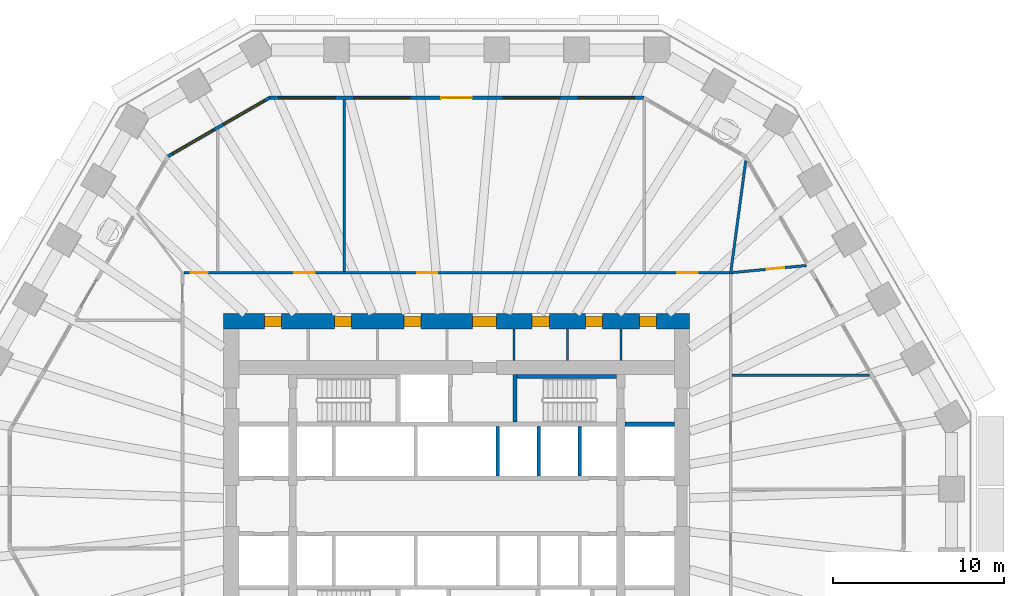
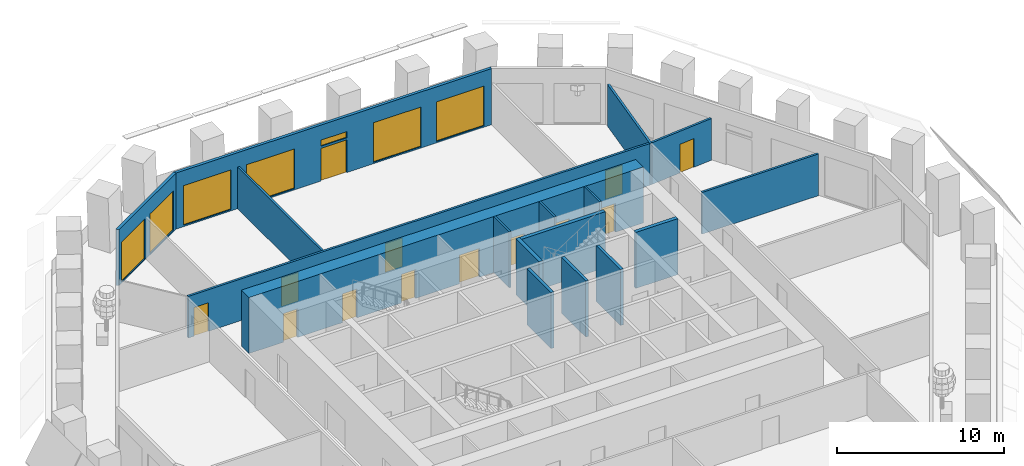
# One storey, part 7 of 12: 17 walls, 13 doors, 7 windows, 20 openings.
"""IFC4 building model written with IfcOpenShell, lengths in metres."""

from ifc_helpers import new_model, si_unit, direction, frame, frame_2d, origin, place, context, subcontext, project, spatial, polyline, rectangle, outline, extrude, material, layer, layer_set, type_object, element, fill, save


model = new_model("IFC4")

# Units and contexts
model_context = context("Model", 3, precision=1e-05, world=origin(), true_north=direction((0.0, 1.0)))
body_context = subcontext(model_context, "Body", "Model", "MODEL_VIEW")
ifc_project = project(units=[si_unit("LENGTHUNIT", "METRE"), si_unit("AREAUNIT", "SQUARE_METRE"), si_unit("VOLUMEUNIT", "CUBIC_METRE"), si_unit("PLANEANGLEUNIT", "RADIAN"), si_unit("MASSUNIT", "GRAM", prefix="KILO")], contexts=[model_context])

# Site, building, storey
site_placement = place(None, origin())
site = spatial("IfcSite", under=ifc_project, at=site_placement, CompositionType="ELEMENT")
building_placement = place(site_placement, origin())
building = spatial("IfcBuilding", under=site, at=building_placement, Name="Frailejon Research Tower", CompositionType="ELEMENT")
storey_placement = place(building_placement, frame((0.0, 0.0, 45.39990234375)))
storey = spatial("IfcBuildingStorey", under=building, at=storey_placement, Name="L10", CompositionType="ELEMENT", Elevation=45.39990234375)

# Walls
ifc_material_1 = material(Name="Plasterboard on steel studs", Category="steel")
ifc_layer_1 = layer(ifc_material_1, 0.125)
ifc_layer_set_1 = layer_set([ifc_layer_1], Name="Core partition 125")
wall_type_1 = type_object("IfcWallType", Name="Core partition 125", PredefinedType="PARTITIONING", material=ifc_layer_set_1)
for number, where, z_axis, x_axis, name in (
    (1, (3.362548828125, 8.5, 0.0), (0.0, 0.0, 1.0), (0.0, 1.0, 0.0), "Core partition"),
    (2, (6.49169921875, 8.5, 0.0), (0.0, 0.0, 1.0), (0.0, 1.0, 0.0), "Core partition"),
    (3, (9.620849609375, 8.5, 0.0), (0.0, 0.0, 1.0), (0.0, 1.0, 0.0), "Core partition"),
):
    element("IfcWall", number, at=place(storey_placement, frame(where, z_axis=z_axis, x_axis=x_axis)), inside=storey, type_object=wall_type_1, Name=name, PredefinedType="PARTITIONING", context=body_context, shape_type="SweptSolid", body=[
        extrude(rectangle(XDim=1.85009765625, YDim=0.125, at=frame_2d((0.925048828125, 0.0))), origin(), (0.0, 0.0, 1.0), 4.10009765625),
    ])

# Wall, openings, doors
ifc_material_2 = material(Name="Concrete C70/85", Category="concrete")
ifc_layer_2 = layer(ifc_material_2, 0.89990234375)
ifc_layer_set_2 = layer_set([ifc_layer_2], Name="Core shear wall 900 C70/85")
wall_type_2 = type_object("IfcWallType", Name="Core shear wall 900 C70/85", PredefinedType="SHEAR", material=ifc_layer_set_2)
wall_1_placement = place(storey_placement, frame((-13.64990234375, 10.800048828125, 0.0), z_axis=(0.0, 0.0, 1.0), x_axis=(1.0, 0.0, 0.0)))
wall_1 = element("IfcWall", 4, at=wall_1_placement, inside=storey, type_object=wall_type_2, Name="Core shear wall", PredefinedType="SHEAR", context=body_context, shape_type="SweptSolid", body=[
    extrude(rectangle(XDim=27.2998046875, YDim=0.89990234375, at=frame_2d((13.64990234375, 0.0))), origin(), (0.0, 0.0, 1.0), 4.10009765625),
])
opening_1_placement = place(wall_1_placement, frame((2.39990234375, 0.0, 0.0)))
opening_1 = element("IfcOpeningElement", 5, at=opening_1_placement, cuts=wall_1, Name="Opening D4", PredefinedType="OPENING", context=body_context, shape_type="SweptSolid", body=[
    extrude(rectangle(XDim=1.0, YDim=2.10009765625, at=frame_2d((0.5, 1.050048828125))), frame((0.0, 0.4599609375, 0.0), z_axis=(0.0, -1.0, 0.0), x_axis=(1.0, 0.0, 0.0)), (0.0, 0.0, 1.0), 0.919921875),
])
opening_2_placement = place(wall_1_placement, frame((6.49365234375, 0.0, 0.0)))
opening_2 = element("IfcOpeningElement", 6, at=opening_2_placement, cuts=wall_1, Name="Opening D4", PredefinedType="OPENING", context=body_context, shape_type="SweptSolid", body=[
    extrude(rectangle(XDim=1.0, YDim=2.10009765625, at=frame_2d((0.5, 1.050048828125))), frame((0.0, 0.4599609375, 0.0), z_axis=(0.0, -1.0, 0.0), x_axis=(1.0, 0.0, 0.0)), (0.0, 0.0, 1.0), 0.919921875),
])
opening_3_placement = place(wall_1_placement, frame((10.55615234375, 0.0, 0.0)))
opening_3 = element("IfcOpeningElement", 7, at=opening_3_placement, cuts=wall_1, Name="Opening D4", PredefinedType="OPENING", context=body_context, shape_type="SweptSolid", body=[
    extrude(rectangle(XDim=1.0, YDim=2.10009765625, at=frame_2d((0.5, 1.050048828125))), frame((0.0, 0.4599609375, 0.0), z_axis=(0.0, -1.0, 0.0), x_axis=(1.0, 0.0, 0.0)), (0.0, 0.0, 1.0), 0.919921875),
])
opening_4_placement = place(wall_1_placement, frame((18.0771484375, 0.0, 0.0)))
opening_4 = element("IfcOpeningElement", 8, at=opening_4_placement, cuts=wall_1, Name="Opening D4", PredefinedType="OPENING", context=body_context, shape_type="SweptSolid", body=[
    extrude(rectangle(XDim=1.0, YDim=2.10009765625, at=frame_2d((0.5, 1.050048828125))), frame((0.0, 0.4599609375, 0.0), z_axis=(0.0, -1.0, 0.0), x_axis=(1.0, 0.0, 0.0)), (0.0, 0.0, 1.0), 0.919921875),
])
opening_5_placement = place(wall_1_placement, frame((21.206298828125, 0.0, 0.0)))
opening_5 = element("IfcOpeningElement", 9, at=opening_5_placement, cuts=wall_1, Name="Opening D4", PredefinedType="OPENING", context=body_context, shape_type="SweptSolid", body=[
    extrude(rectangle(XDim=1.0, YDim=2.10009765625, at=frame_2d((0.5, 1.050048828125))), frame((0.0, 0.4599609375, 0.0), z_axis=(0.0, -1.0, 0.0), x_axis=(1.0, 0.0, 0.0)), (0.0, 0.0, 1.0), 0.919921875),
])
opening_6_placement = place(wall_1_placement, frame((24.36669921875, 0.0, 0.0)))
opening_6 = element("IfcOpeningElement", 10, at=opening_6_placement, cuts=wall_1, Name="Opening D4", PredefinedType="OPENING", context=body_context, shape_type="SweptSolid", body=[
    extrude(rectangle(XDim=1.0, YDim=2.10009765625, at=frame_2d((0.5, 1.050048828125))), frame((0.0, 0.4599609375, 0.0), z_axis=(0.0, -1.0, 0.0), x_axis=(1.0, 0.0, 0.0)), (0.0, 0.0, 1.0), 0.919921875),
])
opening_7_placement = place(wall_1_placement, frame((14.574951171875, 0.0, 0.0)))
opening_7 = element("IfcOpeningElement", 11, at=opening_7_placement, cuts=wall_1, Name="Opening D9", PredefinedType="OPENING", context=body_context, shape_type="SweptSolid", body=[
    extrude(rectangle(XDim=1.39990234375, YDim=2.10009765625, at=frame_2d((0.699951171875, 1.050048828125))), frame((0.0, 0.4599609375, 0.0), z_axis=(0.0, -1.0, 0.0), x_axis=(1.0, 0.0, 0.0)), (0.0, 0.0, 1.0), 0.919921875),
])
ifc_material_3 = material(Name="Steel", Category="steel")
door_type_1 = type_object("IfcDoorType", Name="Goods lobby door", OperationType="DOUBLE_DOOR_SINGLE_SWING", PredefinedType="DOOR", material=ifc_material_3)
door_1_placement = place(opening_7_placement, origin())
door_1 = element("IfcDoor", 12, at=door_1_placement, inside=storey, type_object=door_type_1, Name="Passage door", OperationType="DOUBLE_DOOR_SINGLE_SWING", OverallHeight=2.10009765625, OverallWidth=1.39990234375, PredefinedType="DOOR", context=body_context, shape_type="SweptSolid", body=[
    extrude(rectangle(XDim=1.39990234375, YDim=2.10009765625, at=frame_2d((0.699951171875, 1.050048828125))), frame((0.0, 0.300048828125, 0.0), z_axis=(0.0, -1.0, 0.0), x_axis=(1.0, 0.0, 0.0)), (0.0, 0.0, 1.0), 0.60009765625),
])
fill(opening_7, door_1)
ifc_material_4 = material(Name="Steel", Category="steel")
door_type_2 = type_object("IfcDoorType", Name="Service door", OperationType="SINGLE_SWING_LEFT", PredefinedType="DOOR", material=ifc_material_4)
door_2_placement = place(opening_1_placement, origin())
door_2 = element("IfcDoor", 13, at=door_2_placement, inside=storey, type_object=door_type_2, Name="Room door", OperationType="SINGLE_SWING_LEFT", OverallHeight=2.10009765625, OverallWidth=1.0, PredefinedType="DOOR", context=body_context, shape_type="SweptSolid", body=[
    extrude(rectangle(XDim=1.0, YDim=2.10009765625, at=frame_2d((0.5, 1.050048828125))), frame((0.0, 0.300048828125, 0.0), z_axis=(0.0, -1.0, 0.0), x_axis=(1.0, 0.0, 0.0)), (0.0, 0.0, 1.0), 0.60009765625),
])
fill(opening_1, door_2)
door_3_placement = place(opening_2_placement, origin())
door_3 = element("IfcDoor", 14, at=door_3_placement, inside=storey, type_object=door_type_2, Name="Room door", OperationType="SINGLE_SWING_RIGHT", OverallHeight=2.10009765625, OverallWidth=1.0, PredefinedType="DOOR", context=body_context, shape_type="SweptSolid", body=[
    extrude(rectangle(XDim=1.0, YDim=2.10009765625, at=frame_2d((0.5, 1.050048828125))), frame((0.0, 0.300048828125, 0.0), z_axis=(0.0, -1.0, 0.0), x_axis=(1.0, 0.0, 0.0)), (0.0, 0.0, 1.0), 0.60009765625),
])
fill(opening_2, door_3)
door_4_placement = place(opening_3_placement, origin())
door_4 = element("IfcDoor", 15, at=door_4_placement, inside=storey, type_object=door_type_2, Name="Room door", OperationType="SINGLE_SWING_LEFT", OverallHeight=2.10009765625, OverallWidth=1.0, PredefinedType="DOOR", context=body_context, shape_type="SweptSolid", body=[
    extrude(rectangle(XDim=1.0, YDim=2.10009765625, at=frame_2d((0.5, 1.050048828125))), frame((0.0, 0.300048828125, 0.0), z_axis=(0.0, -1.0, 0.0), x_axis=(1.0, 0.0, 0.0)), (0.0, 0.0, 1.0), 0.60009765625),
])
fill(opening_3, door_4)
door_5_placement = place(opening_4_placement, origin())
door_5 = element("IfcDoor", 16, at=door_5_placement, inside=storey, type_object=door_type_2, Name="Room door", OperationType="SINGLE_SWING_RIGHT", OverallHeight=2.10009765625, OverallWidth=1.0, PredefinedType="DOOR", context=body_context, shape_type="SweptSolid", body=[
    extrude(rectangle(XDim=1.0, YDim=2.10009765625, at=frame_2d((0.5, 1.050048828125))), frame((0.0, 0.300048828125, 0.0), z_axis=(0.0, -1.0, 0.0), x_axis=(1.0, 0.0, 0.0)), (0.0, 0.0, 1.0), 0.60009765625),
])
fill(opening_4, door_5)
door_6_placement = place(opening_5_placement, origin())
door_6 = element("IfcDoor", 17, at=door_6_placement, inside=storey, type_object=door_type_2, Name="Room door", OperationType="SINGLE_SWING_LEFT", OverallHeight=2.10009765625, OverallWidth=1.0, PredefinedType="DOOR", context=body_context, shape_type="SweptSolid", body=[
    extrude(rectangle(XDim=1.0, YDim=2.10009765625, at=frame_2d((0.5, 1.050048828125))), frame((0.0, 0.300048828125, 0.0), z_axis=(0.0, -1.0, 0.0), x_axis=(1.0, 0.0, 0.0)), (0.0, 0.0, 1.0), 0.60009765625),
])
fill(opening_5, door_6)
door_7_placement = place(opening_6_placement, origin())
door_7 = element("IfcDoor", 18, at=door_7_placement, inside=storey, type_object=door_type_2, Name="Room door", OperationType="SINGLE_SWING_RIGHT", OverallHeight=2.10009765625, OverallWidth=1.0, PredefinedType="DOOR", context=body_context, shape_type="SweptSolid", body=[
    extrude(rectangle(XDim=1.0, YDim=2.10009765625, at=frame_2d((0.5, 1.050048828125))), frame((0.0, 0.300048828125, 0.0), z_axis=(0.0, -1.0, 0.0), x_axis=(1.0, 0.0, 0.0)), (0.0, 0.0, 1.0), 0.60009765625),
])
fill(opening_6, door_7)

ifc_material_5 = material(Name="Gypsum board and masonry partition", Category="masonry")
ifc_layer_3 = layer(ifc_material_5, 0.14990234375)
ifc_layer_set_3 = layer_set([ifc_layer_3], Name="Corridor wall EI 60, gypsum on steel studs 150")
wall_type_3 = type_object("IfcWallType", Name="Corridor wall EI 60, gypsum on steel studs 150", PredefinedType="PARTITIONING", material=ifc_layer_set_3)
wall_2_placement = place(storey_placement, frame((-15.97509765625, 13.64990234375, 0.0), z_axis=(0.0, 0.0, 1.0), x_axis=(1.0, 0.0, 0.0)))
wall_2 = element("IfcWall", 19, at=wall_2_placement, inside=storey, type_object=wall_type_3, Name="T:IW:L10:002", PredefinedType="PARTITIONING", context=body_context, shape_type="SweptSolid", body=[
    extrude(rectangle(XDim=31.9501953125, YDim=0.14990234375, at=frame_2d((15.97509765625, 0.0))), origin(), (0.0, 0.0, 1.0), 3.050048828125),
])
opening_8_placement = place(wall_2_placement, frame((28.886962890625, 0.0, 0.0)))
opening_8 = element("IfcOpeningElement", 20, at=opening_8_placement, cuts=wall_2, Name="Opening D1390", PredefinedType="OPENING", context=body_context, shape_type="SweptSolid", body=[
    extrude(rectangle(XDim=1.199951171875, YDim=2.10009765625, at=frame_2d((0.60009765625, 1.050048828125))), frame((0.0, 0.0849609375, 0.0), z_axis=(0.0, -1.0, 0.0), x_axis=(1.0, 0.0, 0.0)), (0.0, 0.0, 1.0), 0.169921875),
])
opening_9_placement = place(wall_2_placement, frame((13.6552734375, 0.0, 0.0)))
opening_9 = element("IfcOpeningElement", 21, at=opening_9_placement, cuts=wall_2, Name="Opening D1391", PredefinedType="OPENING", context=body_context, shape_type="SweptSolid", body=[
    extrude(rectangle(XDim=1.199951171875, YDim=2.10009765625, at=frame_2d((0.60009765625, 1.050048828125))), frame((0.0, 0.0849609375, 0.0), z_axis=(0.0, -1.0, 0.0), x_axis=(1.0, 0.0, 0.0)), (0.0, 0.0, 1.0), 0.169921875),
])
opening_10_placement = place(wall_2_placement, frame((6.468017578125, 0.0, 0.0)))
opening_10 = element("IfcOpeningElement", 22, at=opening_10_placement, cuts=wall_2, Name="Opening D1392", PredefinedType="OPENING", context=body_context, shape_type="SweptSolid", body=[
    extrude(rectangle(XDim=1.199951171875, YDim=2.10009765625, at=frame_2d((0.60009765625, 1.050048828125))), frame((0.0, 0.0849609375, 0.0), z_axis=(0.0, -1.0, 0.0), x_axis=(1.0, 0.0, 0.0)), (0.0, 0.0, 1.0), 0.169921875),
])
opening_11_placement = place(wall_2_placement, frame((0.406494140625, 0.0, 0.0)))
opening_11 = element("IfcOpeningElement", 23, at=opening_11_placement, cuts=wall_2, Name="Opening D1393", PredefinedType="OPENING", context=body_context, shape_type="SweptSolid", body=[
    extrude(rectangle(XDim=1.0, YDim=2.10009765625, at=frame_2d((0.5, 1.050048828125))), frame((0.0, 0.0849609375, 0.0), z_axis=(0.0, -1.0, 0.0), x_axis=(1.0, 0.0, 0.0)), (0.0, 0.0, 1.0), 0.169921875),
])
ifc_material_6 = material(Name="Timber door leaf", Category="wood")
door_type_3 = type_object("IfcDoorType", Name="Door laboratory, timber, vision panel 1200", OperationType="NOTDEFINED", PredefinedType="DOOR", material=ifc_material_6)
door_8_placement = place(opening_8_placement, origin())
door_8 = element("IfcDoor", 24, at=door_8_placement, inside=storey, type_object=door_type_3, Name="D1390", OperationType="DOUBLE_DOOR_SINGLE_SWING", OverallHeight=2.10009765625, OverallWidth=1.199951171875, PredefinedType="DOOR", context=body_context, shape_type="SweptSolid", body=[
    extrude(rectangle(XDim=1.199951171875, YDim=2.10009765625, at=frame_2d((0.60009765625, 1.050048828125))), frame((0.0, 0.02490234375, 0.0), z_axis=(0.0, -1.0, 0.0), x_axis=(1.0, 0.0, 0.0)), (0.0, 0.0, 1.0), 0.050048828125),
])
fill(opening_8, door_8)
door_9_placement = place(opening_9_placement, origin())
door_9 = element("IfcDoor", 25, at=door_9_placement, inside=storey, type_object=door_type_3, Name="D1391", OperationType="DOUBLE_DOOR_SINGLE_SWING", OverallHeight=2.10009765625, OverallWidth=1.199951171875, PredefinedType="DOOR", context=body_context, shape_type="SweptSolid", body=[
    extrude(rectangle(XDim=1.199951171875, YDim=2.10009765625, at=frame_2d((0.60009765625, 1.050048828125))), frame((0.0, 0.02490234375, 0.0), z_axis=(0.0, -1.0, 0.0), x_axis=(1.0, 0.0, 0.0)), (0.0, 0.0, 1.0), 0.050048828125),
])
fill(opening_9, door_9)
door_10_placement = place(opening_10_placement, origin())
door_10 = element("IfcDoor", 26, at=door_10_placement, inside=storey, type_object=door_type_3, Name="D1392", OperationType="DOUBLE_DOOR_SINGLE_SWING", OverallHeight=2.10009765625, OverallWidth=1.199951171875, PredefinedType="DOOR", context=body_context, shape_type="SweptSolid", body=[
    extrude(rectangle(XDim=1.199951171875, YDim=2.10009765625, at=frame_2d((0.60009765625, 1.050048828125))), frame((0.0, 0.02490234375, 0.0), z_axis=(0.0, -1.0, 0.0), x_axis=(1.0, 0.0, 0.0)), (0.0, 0.0, 1.0), 0.050048828125),
])
fill(opening_10, door_10)
ifc_material_7 = material(Name="Timber door leaf", Category="wood")
door_type_4 = type_object("IfcDoorType", Name="Door single leaf, timber, steel frame 1000", OperationType="NOTDEFINED", PredefinedType="DOOR", material=ifc_material_7)
door_11_placement = place(opening_11_placement, origin())
door_11 = element("IfcDoor", 27, at=door_11_placement, inside=storey, type_object=door_type_4, Name="D1393", OperationType="SINGLE_SWING_LEFT", OverallHeight=2.10009765625, OverallWidth=1.0, PredefinedType="DOOR", context=body_context, shape_type="SweptSolid", body=[
    extrude(rectangle(XDim=1.0, YDim=2.10009765625, at=frame_2d((0.5, 1.050048828125))), frame((0.0, 0.02490234375, 0.0), z_axis=(0.0, -1.0, 0.0), x_axis=(1.0, 0.0, 0.0)), (0.0, 0.0, 1.0), 0.050048828125),
])
fill(opening_11, door_11)

# Wall
ifc_material_8 = material(Name="Gypsum board and masonry partition", Category="masonry")
ifc_layer_4 = layer(ifc_material_8, 0.14990234375)
ifc_layer_set_4 = layer_set([ifc_layer_4], Name="Laboratory partition, blockwork 150")
wall_type_4 = type_object("IfcWallType", Name="Laboratory partition, blockwork 150", PredefinedType="PARTITIONING", material=ifc_layer_set_4)
wall_3_placement = place(storey_placement, frame((16.125, 7.65283203125, 0.0), z_axis=(0.0, 0.0, 1.0), x_axis=(1.0, 0.0, 0.0)))
element("IfcWall", 28, at=wall_3_placement, inside=storey, type_object=wall_type_4, Name="T:IW:L10:005", PredefinedType="PARTITIONING", context=body_context, shape_type="SweptSolid", body=[
    extrude(rectangle(XDim=8.05615234375, YDim=0.14990234375, at=frame_2d((4.028076171875, 0.0))), origin(), (0.0, 0.0, 1.0), 3.050048828125),
])

# Wall, opening, door
wall_4_placement = place(storey_placement, frame((16.124755859375, 13.656982421875, 0.0), z_axis=(0.0, 0.0, 1.0), x_axis=(0.995446624289, 0.095320607378, 0.0)))
wall_4 = element("IfcWall", 29, at=wall_4_placement, inside=storey, type_object=wall_type_4, Name="T:IW:L10:007", PredefinedType="PARTITIONING", context=body_context, shape_type="SweptSolid", body=[
    extrude(rectangle(XDim=4.369384765625, YDim=0.14990234375, at=frame_2d((2.1845703125, 0.0))), origin(), (0.0, 0.0, 1.0), 3.050048828125),
])
opening_12_placement = place(wall_4_placement, frame((2.058837890625, 0.0, 0.0)))
opening_12 = element("IfcOpeningElement", 30, at=opening_12_placement, cuts=wall_4, Name="Opening D1389", PredefinedType="OPENING", context=body_context, shape_type="SweptSolid", body=[
    extrude(rectangle(XDim=1.0, YDim=2.10009765625, at=frame_2d((0.5, 1.050048828125))), frame((0.0, 0.0849609375, 0.0), z_axis=(0.0, -1.0, 0.0), x_axis=(1.0, 0.0, 0.0)), (0.0, 0.0, 1.0), 0.169921875),
])
door_12_placement = place(opening_12_placement, origin())
door_12 = element("IfcDoor", 31, at=door_12_placement, inside=storey, type_object=door_type_4, Name="D1389", OperationType="SINGLE_SWING_RIGHT", OverallHeight=2.10009765625, OverallWidth=1.0, PredefinedType="DOOR", context=body_context, shape_type="SweptSolid", body=[
    extrude(rectangle(XDim=1.0, YDim=2.10009765625, at=frame_2d((0.5, 1.050048828125))), frame((0.0, 0.02490234375, 0.0), z_axis=(0.0, -1.0, 0.0), x_axis=(1.0, 0.0, 0.0)), (0.0, 0.0, 1.0), 0.050048828125),
])
fill(opening_12, door_12)

# Walls
wall_5_placement = place(storey_placement, frame((16.0400390625, 13.57568359375, 0.0), z_axis=(0.0, 0.0, 1.0), x_axis=(0.132992525373, 0.991117040614, 0.0)))
element("IfcWall", 32, at=wall_5_placement, inside=storey, type_object=wall_type_4, Name="T:IW:L10:008", PredefinedType="PARTITIONING", context=body_context, shape_type="SweptSolid", body=[
    extrude(rectangle(XDim=6.695068359375, YDim=0.14990234375, at=frame_2d((3.34765625, 0.0))), origin(), (0.0, 0.0, 1.0), 3.050048828125),
])
wall_6_placement = place(storey_placement, frame((-6.58447265625, 13.72509765625, 0.0), z_axis=(0.0, 0.0, 1.0), x_axis=(0.0, 1.0, 0.0)))
element("IfcWall", 33, at=wall_6_placement, inside=storey, type_object=wall_type_4, Name="T:IW:L10:010", PredefinedType="PARTITIONING", context=body_context, shape_type="SweptSolid", body=[
    extrude(rectangle(XDim=10.074951171875, YDim=0.14990234375, at=frame_2d((5.03759765625, 0.0))), origin(), (0.0, 0.0, 1.0), 3.050048828125),
])
ifc_material_9 = material(Name="Concrete C70/85", Category="concrete")
ifc_layer_5 = layer(ifc_material_9, 0.199951171875)
ifc_layer_set_5 = layer_set([ifc_layer_5], Name="Shaft wall 200 C70/85")
wall_type_5 = type_object("IfcWallType", Name="Shaft wall 200 C70/85", PredefinedType="SOLIDWALL", material=ifc_layer_set_5)
for number, where, z_axis, x_axis, name in (
    (34, (2.39990234375, 1.75, 0.0), (0.0, 0.0, 1.0), (0.0, 1.0, 0.0), "Shaft wall"),
    (35, (4.800048828125, 1.75, 0.0), (0.0, 0.0, 1.0), (0.0, 1.0, 0.0), "Shaft wall"),
    (36, (7.199951171875, 1.75, 0.0), (0.0, 0.0, 1.0), (0.0, 1.0, 0.0), "Shaft wall"),
):
    element("IfcWall", number, at=place(storey_placement, frame(where, z_axis=z_axis, x_axis=x_axis)), inside=storey, type_object=wall_type_5, Name=name, PredefinedType="SOLIDWALL", context=body_context, shape_type="SweptSolid", body=[
        extrude(rectangle(XDim=2.89990234375, YDim=0.199951171875, at=frame_2d((1.449951171875, 0.0))), origin(), (0.0, 0.0, 1.0), 4.10009765625),
    ])
ifc_material_10 = material(Name="Concrete C70/85", Category="concrete")
ifc_layer_6 = layer(ifc_material_10, 0.25)
ifc_layer_set_6 = layer_set([ifc_layer_6], Name="Shaft wall 250 C70/85")
wall_type_6 = type_object("IfcWallType", Name="Shaft wall 250 C70/85", PredefinedType="SOLIDWALL", material=ifc_layer_set_6)
wall_7_placement = place(storey_placement, frame((9.85009765625, 4.77490234375, 0.0), z_axis=(0.0, 0.0, 1.0), x_axis=(1.0, 0.0, 0.0)))
element("IfcWall", 37, at=wall_7_placement, inside=storey, type_object=wall_type_6, Name="Shaft wall", PredefinedType="SOLIDWALL", context=body_context, shape_type="SweptSolid", body=[
    extrude(rectangle(XDim=2.89990234375, YDim=0.25, at=frame_2d((1.449951171875, 0.0))), origin(), (0.0, 0.0, 1.0), 4.10009765625),
])
wall_8_placement = place(storey_placement, frame((3.550048828125, 7.574951171875, 0.0), z_axis=(0.0, 0.0, 1.0), x_axis=(1.0, 0.0, 0.0)))
element("IfcWall", 38, at=wall_8_placement, inside=storey, type_object=wall_type_6, Name="Shaft wall", PredefinedType="SOLIDWALL", context=body_context, shape_type="SweptSolid", body=[
    extrude(rectangle(XDim=5.800048828125, YDim=0.25, at=frame_2d((2.89990234375, 0.0))), origin(), (0.0, 0.0, 1.0), 4.10009765625),
])
wall_9_placement = place(storey_placement, frame((3.425048828125, 4.89990234375, 0.0), z_axis=(0.0, 0.0, 1.0), x_axis=(0.0, 1.0, 0.0)))
element("IfcWall", 39, at=wall_9_placement, inside=storey, type_object=wall_type_6, Name="Shaft wall", PredefinedType="SOLIDWALL", context=body_context, shape_type="SweptSolid", body=[
    extrude(rectangle(XDim=2.800048828125, YDim=0.25, at=frame_2d((1.39990234375, 0.0))), origin(), (0.0, 0.0, 1.0), 4.10009765625),
])

# Wall, openings, door, windows
ifc_material_11 = material(Name="Concrete C40/50 precast window wall panel", Category="concrete")
ifc_layer_7 = layer(ifc_material_11, 0.199951171875)
ifc_layer_set_7 = layer_set([ifc_layer_7], Name="Window wall 200")
wall_type_7 = type_object("IfcWallType", Name="Window wall 200", PredefinedType="SOLIDWALL", material=ifc_layer_set_7)
wall_10_placement = place(storey_placement, frame((10.947265625, 23.89990234375, 0.0), z_axis=(0.0, 0.0, 1.0), x_axis=(-1.0, 0.0, 0.0)))
wall_10 = element("IfcWall", 40, at=wall_10_placement, inside=storey, type_object=wall_type_7, Name="Exterior wall L10", PredefinedType="SOLIDWALL", context=body_context, shape_type="SweptSolid", body=[
    extrude(outline(polyline([(-0.02685546875, -0.10009765625), (1.018310546875, -0.10009765625), (2.0634765625, -0.10009765625), (3.108642578125, -0.10009765625), (4.15380859375, -0.10009765625), (5.198974609375, -0.10009765625), (6.244140625, -0.10009765625), (7.289306640625, -0.10009765625), (8.33447265625, -0.10009765625), (9.379638671875, -0.10009765625), (10.4248046875, -0.10009765625), (11.4697265625, -0.10009765625), (12.514892578125, -0.10009765625), (13.56005859375, -0.10009765625), (14.605224609375, -0.10009765625), (15.650390625, -0.10009765625), (16.695556640625, -0.10009765625), (17.74072265625, -0.10009765625), (18.785888671875, -0.10009765625), (19.8310546875, -0.10009765625), (20.876220703125, -0.10009765625), (21.92138671875, -0.10009765625), (21.86767578125, 0.10009765625), (20.82763671875, 0.10009765625), (19.78759765625, 0.10009765625), (18.74755859375, 0.10009765625), (17.70751953125, 0.10009765625), (16.66748046875, 0.10009765625), (15.62744140625, 0.10009765625), (14.58740234375, 0.10009765625), (13.54736328125, 0.10009765625), (12.50732421875, 0.10009765625), (11.46728515625, 0.10009765625), (10.42724609375, 0.10009765625), (9.38720703125, 0.10009765625), (8.34716796875, 0.10009765625), (7.30712890625, 0.10009765625), (6.26708984375, 0.10009765625), (5.22705078125, 0.10009765625), (4.18701171875, 0.10009765625), (3.14697265625, 0.10009765625), (2.10693359375, 0.10009765625), (1.06689453125, 0.10009765625), (0.02685546875, 0.10009765625), (-0.02685546875, -0.10009765625)])), origin(), (0.0, 0.0, 1.0), 4.10009765625),
])
opening_13_placement = place(wall_10_placement, frame((0.53955078125, 0.0, 0.10009765625)))
opening_13 = element("IfcOpeningElement", 41, at=opening_13_placement, cuts=wall_10, Name="Opening W5", PredefinedType="OPENING", context=body_context, shape_type="SweptSolid", body=[
    extrude(rectangle(XDim=3.300048828125, YDim=2.89990234375, at=frame_2d((1.64990234375, 1.449951171875))), frame((0.0, 0.10986328125, 0.0), z_axis=(0.0, -1.0, 0.0), x_axis=(1.0, 0.0, 0.0)), (0.0, 0.0, 1.0), 0.219970703125),
])
opening_14_placement = place(wall_10_placement, frame((4.91845703125, 0.0, 0.10009765625)))
opening_14 = element("IfcOpeningElement", 42, at=opening_14_placement, cuts=wall_10, Name="Opening W5", PredefinedType="OPENING", context=body_context, shape_type="SweptSolid", body=[
    extrude(rectangle(XDim=3.300048828125, YDim=2.89990234375, at=frame_2d((1.64990234375, 1.449951171875))), frame((0.0, 0.10986328125, 0.0), z_axis=(0.0, -1.0, 0.0), x_axis=(1.0, 0.0, 0.0)), (0.0, 0.0, 1.0), 0.219970703125),
])
opening_15_placement = place(wall_10_placement, frame((10.04736328125, 0.0, 0.0)))
opening_15 = element("IfcOpeningElement", 43, at=opening_15_placement, cuts=wall_10, Name="Opening LG10-2", PredefinedType="OPENING", context=body_context, shape_type="SweptSolid", body=[
    extrude(rectangle(XDim=1.800048828125, YDim=2.39990234375, at=frame_2d((0.89990234375, 1.199951171875))), frame((0.0, 0.10986328125, 0.0), z_axis=(0.0, -1.0, 0.0), x_axis=(1.0, 0.0, 0.0)), (0.0, 0.0, 1.0), 0.219970703125),
])
opening_16_placement = place(wall_10_placement, frame((10.04736328125, 0.0, 2.550048828125)))
opening_16 = element("IfcOpeningElement", 44, at=opening_16_placement, cuts=wall_10, Name="Opening W1", PredefinedType="OPENING", context=body_context, shape_type="SweptSolid", body=[
    extrude(rectangle(XDim=1.800048828125, YDim=0.449951171875, at=frame_2d((0.89990234375, 0.22509765625))), frame((0.0, 0.10986328125, 0.0), z_axis=(0.0, -1.0, 0.0), x_axis=(1.0, 0.0, 0.0)), (0.0, 0.0, 1.0), 0.219970703125),
])
opening_17_placement = place(wall_10_placement, frame((13.67626953125, 0.0, 0.10009765625)))
opening_17 = element("IfcOpeningElement", 45, at=opening_17_placement, cuts=wall_10, Name="Opening W5", PredefinedType="OPENING", context=body_context, shape_type="SweptSolid", body=[
    extrude(rectangle(XDim=3.300048828125, YDim=2.89990234375, at=frame_2d((1.64990234375, 1.449951171875))), frame((0.0, 0.10986328125, 0.0), z_axis=(0.0, -1.0, 0.0), x_axis=(1.0, 0.0, 0.0)), (0.0, 0.0, 1.0), 0.219970703125),
])
opening_18_placement = place(wall_10_placement, frame((18.05517578125, 0.0, 0.10009765625)))
opening_18 = element("IfcOpeningElement", 46, at=opening_18_placement, cuts=wall_10, Name="Opening W5", PredefinedType="OPENING", context=body_context, shape_type="SweptSolid", body=[
    extrude(rectangle(XDim=3.300048828125, YDim=2.89990234375, at=frame_2d((1.64990234375, 1.449951171875))), frame((0.0, 0.10986328125, 0.0), z_axis=(0.0, -1.0, 0.0), x_axis=(1.0, 0.0, 0.0)), (0.0, 0.0, 1.0), 0.219970703125),
])
ifc_material_12 = material(Name="Aluminium framed glazed door leaf", Category="aluminium")
door_type_5 = type_object("IfcDoorType", Name="Loggia door 1800x2400", OperationType="DOUBLE_DOOR_SINGLE_SWING", PredefinedType="DOOR", material=ifc_material_12)
door_13_placement = place(opening_15_placement, origin())
door_13 = element("IfcDoor", 47, at=door_13_placement, inside=storey, type_object=door_type_5, Name="Door LG10-2", OperationType="DOUBLE_DOOR_SINGLE_SWING", OverallHeight=2.39990234375, OverallWidth=1.800048828125, PredefinedType="DOOR", context=body_context, shape_type="SweptSolid", body=[
    extrude(rectangle(XDim=1.800048828125, YDim=2.39990234375, at=frame_2d((0.89990234375, 1.199951171875))), frame((0.0, 0.02490234375, 0.0), z_axis=(0.0, -1.0, 0.0), x_axis=(1.0, 0.0, 0.0)), (0.0, 0.0, 1.0), 0.050048828125),
])
fill(opening_15, door_13)
ifc_material_13 = material(Name="Aluminium framed double glazing", Category="aluminium")
window_type_1 = type_object("IfcWindowType", Name="Window 1800x450", PartitioningType="SINGLE_PANEL", PredefinedType="WINDOW", material=ifc_material_13)
window_1_placement = place(opening_16_placement, origin())
window_1 = element("IfcWindow", 48, at=window_1_placement, inside=storey, type_object=window_type_1, Name="Window L10", OverallHeight=0.449951171875, OverallWidth=1.800048828125, PartitioningType="SINGLE_PANEL", PredefinedType="WINDOW", context=body_context, shape_type="SweptSolid", body=[
    extrude(rectangle(XDim=1.800048828125, YDim=0.449951171875, at=frame_2d((0.89990234375, 0.22509765625))), frame((0.0, 0.030029296875, 0.0), z_axis=(0.0, -1.0, 0.0), x_axis=(1.0, 0.0, 0.0)), (0.0, 0.0, 1.0), 0.06005859375),
])
fill(opening_16, window_1)
ifc_material_14 = material(Name="Aluminium framed double glazing", Category="aluminium")
window_type_2 = type_object("IfcWindowType", Name="Window 3300x2900", PartitioningType="SINGLE_PANEL", PredefinedType="WINDOW", material=ifc_material_14)
window_2_placement = place(opening_13_placement, origin())
window_2 = element("IfcWindow", 49, at=window_2_placement, inside=storey, type_object=window_type_2, Name="Window L10", OverallHeight=2.89990234375, OverallWidth=3.300048828125, PartitioningType="SINGLE_PANEL", PredefinedType="WINDOW", context=body_context, shape_type="SweptSolid", body=[
    extrude(rectangle(XDim=3.300048828125, YDim=2.89990234375, at=frame_2d((1.64990234375, 1.449951171875))), frame((0.0, 0.030029296875, 0.0), z_axis=(0.0, -1.0, 0.0), x_axis=(1.0, 0.0, 0.0)), (0.0, 0.0, 1.0), 0.06005859375),
])
fill(opening_13, window_2)
window_3_placement = place(opening_14_placement, origin())
window_3 = element("IfcWindow", 50, at=window_3_placement, inside=storey, type_object=window_type_2, Name="Window L10", OverallHeight=2.89990234375, OverallWidth=3.300048828125, PartitioningType="SINGLE_PANEL", PredefinedType="WINDOW", context=body_context, shape_type="SweptSolid", body=[
    extrude(rectangle(XDim=3.300048828125, YDim=2.89990234375, at=frame_2d((1.64990234375, 1.449951171875))), frame((0.0, 0.030029296875, 0.0), z_axis=(0.0, -1.0, 0.0), x_axis=(1.0, 0.0, 0.0)), (0.0, 0.0, 1.0), 0.06005859375),
])
fill(opening_14, window_3)
window_4_placement = place(opening_17_placement, origin())
window_4 = element("IfcWindow", 51, at=window_4_placement, inside=storey, type_object=window_type_2, Name="Window L10", OverallHeight=2.89990234375, OverallWidth=3.300048828125, PartitioningType="SINGLE_PANEL", PredefinedType="WINDOW", context=body_context, shape_type="SweptSolid", body=[
    extrude(rectangle(XDim=3.300048828125, YDim=2.89990234375, at=frame_2d((1.64990234375, 1.449951171875))), frame((0.0, 0.030029296875, 0.0), z_axis=(0.0, -1.0, 0.0), x_axis=(1.0, 0.0, 0.0)), (0.0, 0.0, 1.0), 0.06005859375),
])
fill(opening_17, window_4)
window_5_placement = place(opening_18_placement, origin())
window_5 = element("IfcWindow", 52, at=window_5_placement, inside=storey, type_object=window_type_2, Name="Window L10", OverallHeight=2.89990234375, OverallWidth=3.300048828125, PartitioningType="SINGLE_PANEL", PredefinedType="WINDOW", context=body_context, shape_type="SweptSolid", body=[
    extrude(rectangle(XDim=3.300048828125, YDim=2.89990234375, at=frame_2d((1.64990234375, 1.449951171875))), frame((0.0, 0.030029296875, 0.0), z_axis=(0.0, -1.0, 0.0), x_axis=(1.0, 0.0, 0.0)), (0.0, 0.0, 1.0), 0.06005859375),
])
fill(opening_18, window_5)

# Wall, openings, windows
wall_11_placement = place(storey_placement, frame((-10.947265625, 23.89990234375, 0.0), z_axis=(0.0, 0.0, 1.0), x_axis=(-0.866029458321, -0.49999297727, 0.0)))
wall_11 = element("IfcWall", 53, at=wall_11_placement, inside=storey, type_object=wall_type_7, Name="Exterior wall L10", PredefinedType="SOLIDWALL", context=body_context, shape_type="SweptSolid", body=[
    extrude(outline(polyline([(-0.02685546875, -0.10009765625), (1.1279296875, -0.10009765625), (2.282470703125, -0.10009765625), (3.437255859375, -0.10009765625), (4.592041015625, -0.10009765625), (5.74658203125, -0.10009765625), (6.9013671875, -0.10009765625), (6.84765625, 0.10009765625), (5.7109375, 0.10009765625), (4.573974609375, 0.10009765625), (3.437255859375, 0.10009765625), (2.300537109375, 0.10009765625), (1.16357421875, 0.10009765625), (0.02685546875, 0.10009765625), (-0.02685546875, -0.10009765625)])), origin(), (0.0, 0.0, 1.0), 4.10009765625),
])
opening_19_placement = place(wall_11_placement, frame((0.318603515625, 0.0, 0.10009765625)))
opening_19 = element("IfcOpeningElement", 54, at=opening_19_placement, cuts=wall_11, Name="Opening W3", PredefinedType="OPENING", context=body_context, shape_type="SweptSolid", body=[
    extrude(rectangle(XDim=2.800048828125, YDim=2.89990234375, at=frame_2d((1.39990234375, 1.449951171875))), frame((0.0, 0.10986328125, 0.0), z_axis=(0.0, -1.0, 0.0), x_axis=(1.0, 0.0, 0.0)), (0.0, 0.0, 1.0), 0.219970703125),
])
opening_20_placement = place(wall_11_placement, frame((3.756103515625, 0.0, 0.10009765625)))
opening_20 = element("IfcOpeningElement", 55, at=opening_20_placement, cuts=wall_11, Name="Opening W3", PredefinedType="OPENING", context=body_context, shape_type="SweptSolid", body=[
    extrude(rectangle(XDim=2.800048828125, YDim=2.89990234375, at=frame_2d((1.39990234375, 1.449951171875))), frame((0.0, 0.10986328125, 0.0), z_axis=(0.0, -1.0, 0.0), x_axis=(1.0, 0.0, 0.0)), (0.0, 0.0, 1.0), 0.219970703125),
])
ifc_material_15 = material(Name="Aluminium framed double glazing", Category="aluminium")
window_type_3 = type_object("IfcWindowType", Name="Window 2800x2900", PartitioningType="SINGLE_PANEL", PredefinedType="WINDOW", material=ifc_material_15)
window_6_placement = place(opening_19_placement, origin())
window_6 = element("IfcWindow", 56, at=window_6_placement, inside=storey, type_object=window_type_3, Name="Window L10", OverallHeight=2.89990234375, OverallWidth=2.800048828125, PartitioningType="SINGLE_PANEL", PredefinedType="WINDOW", context=body_context, shape_type="SweptSolid", body=[
    extrude(rectangle(XDim=2.800048828125, YDim=2.89990234375, at=frame_2d((1.39990234375, 1.449951171875))), frame((0.0, 0.030029296875, 0.0), z_axis=(0.0, -1.0, 0.0), x_axis=(1.0, 0.0, 0.0)), (0.0, 0.0, 1.0), 0.06005859375),
])
fill(opening_19, window_6)
window_7_placement = place(opening_20_placement, origin())
window_7 = element("IfcWindow", 57, at=window_7_placement, inside=storey, type_object=window_type_3, Name="Window L10", OverallHeight=2.89990234375, OverallWidth=2.800048828125, PartitioningType="SINGLE_PANEL", PredefinedType="WINDOW", context=body_context, shape_type="SweptSolid", body=[
    extrude(rectangle(XDim=2.800048828125, YDim=2.89990234375, at=frame_2d((1.39990234375, 1.449951171875))), frame((0.0, 0.030029296875, 0.0), z_axis=(0.0, -1.0, 0.0), x_axis=(1.0, 0.0, 0.0)), (0.0, 0.0, 1.0), 0.06005859375),
])
fill(opening_20, window_7)

save(model, "model.ifc")
